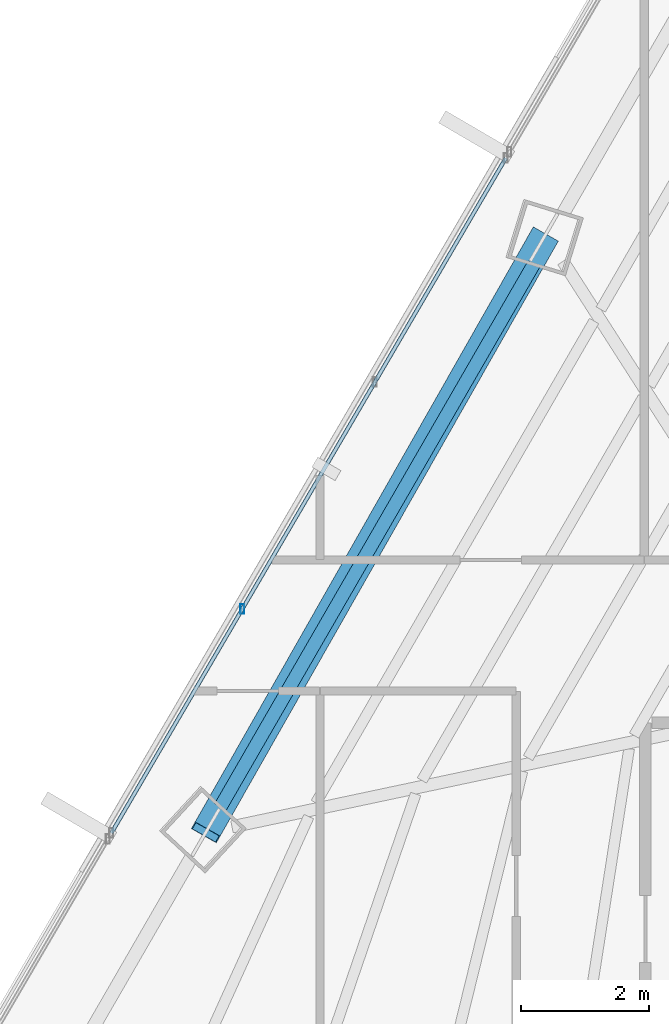
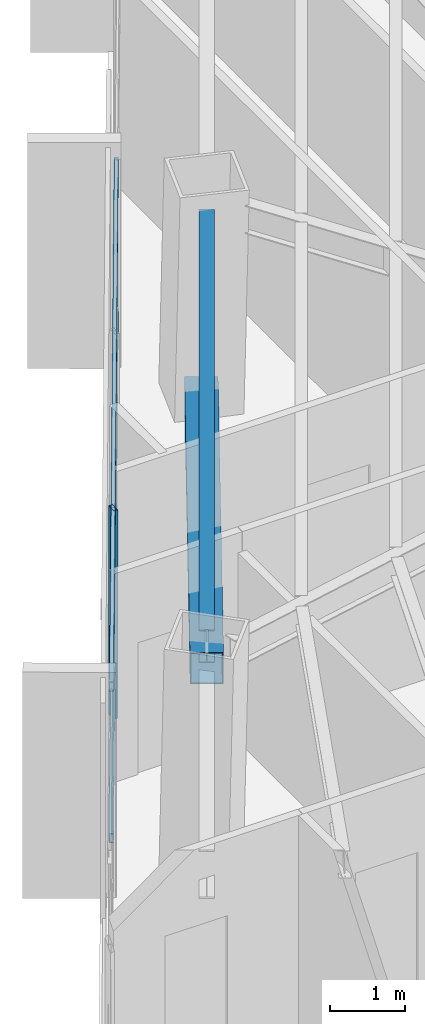
# One storey, part 14 of 42: 4 members, 1 beam, 1 element without a shape of its own.
"""IFC4 building model written with IfcOpenShell, lengths in metres."""

import ifcopenshell
import ifcopenshell.guid

model = None  # the IFC model being written
_history = None  # IfcOwnerHistory: only IFC2X3 demands one
_inside = {}  # id of a spatial element -> (the spatial element, [elements in it])
_under = {}  # id of a project, library or spatial element -> (it, [spatial elements below it])
_declared = {}  # id of a project -> (the project, [libraries it declares])
_typed = {}  # id of a type object -> (the type object, [elements of that type])
_made_of = {}  # id of a material, layer set ... -> (it, [elements and type objects made of it])


def new_model(schema):
    """Start an empty IFC model of exactly this schema.

    Asked for "IFC4X3", IfcOpenShell would pick the latest addendum, in which some entities
    have other attributes; the version numbers below select the first issue.
    IFC2X3 requires an IfcOwnerHistory on every rooted entity: one is made here for all.
    """
    global model, _history
    if schema == "IFC4X3":
        model = ifcopenshell.file(schema_version=(4, 3, 0, 0))
    else:
        model = ifcopenshell.file(schema=schema)
    _inside.clear()
    _under.clear()
    _declared.clear()
    _typed.clear()
    _made_of.clear()
    _history = None
    if model.schema == "IFC2X3":
        org = make("IfcOrganization", Name="unknown")
        user = make(
            "IfcPersonAndOrganization",
            ThePerson=make("IfcPerson", FamilyName="unknown"),
            TheOrganization=org,
        )
        app = make(
            "IfcApplication",
            ApplicationDeveloper=org,
            Version="unknown",
            ApplicationFullName="unknown",
            ApplicationIdentifier="unknown",
        )
        _history = make(
            "IfcOwnerHistory",
            OwningUser=user,
            OwningApplication=app,
            ChangeAction="ADDED",
            CreationDate=0,
        )
    return model


def make(cls, **values):
    """One entity of the class cls with the attributes given. An attribute that is None is left unset."""
    return model.create_entity(
        cls, **{name: value for name, value in values.items() if value is not None}
    )


def rooted(cls, **values):
    """An entity with a GlobalId (a new one), such as an element, a storey or a relation."""
    return make(cls, GlobalId=ifcopenshell.guid.new(), OwnerHistory=_history, **values)


def si_unit(unit_type, name, prefix=None):
    """IfcSIUnit, for example si_unit("LENGTHUNIT", "METRE", prefix="MILLI")."""
    return make("IfcSIUnit", UnitType=unit_type, Prefix=prefix, Name=name)


def assignment(units):
    """IfcUnitAssignment: the units of a project."""
    return None if units is None else make("IfcUnitAssignment", Units=units)


def point(xyz):
    """IfcCartesianPoint."""
    return None if xyz is None else make("IfcCartesianPoint", Coordinates=xyz)


def direction(xyz):
    """IfcDirection."""
    return None if xyz is None else make("IfcDirection", DirectionRatios=xyz)


def frame(location, z_axis=None, x_axis=None):
    """IfcAxis2Placement3D, a coordinate frame: its origin and axes. An axis left out is left unset."""
    return make(
        "IfcAxis2Placement3D",
        Location=point(location),
        Axis=direction(z_axis),
        RefDirection=direction(x_axis),
    )


def frame_2d(location, x_axis=None):
    """IfcAxis2Placement2D, a coordinate frame in the plane: its origin and x axis."""
    return make(
        "IfcAxis2Placement2D", Location=point(location), RefDirection=direction(x_axis)
    )


def origin():
    """The frame at (0, 0, 0) with its axes left unset."""
    return frame((0.0, 0.0, 0.0))


def origin_2d():
    """The frame at (0, 0) in the plane with its x axis left unset."""
    return frame_2d((0.0, 0.0))


def place(relative_to, where):
    """IfcLocalPlacement: puts the frame where relative to a parent placement (None: the world)."""
    return make(
        "IfcLocalPlacement", PlacementRelTo=relative_to, RelativePlacement=where
    )


def context(
    kind, dimensions, precision=None, world=None, true_north=None, identifier=None
):
    """IfcGeometricRepresentationContext, for example the 3D "Model" context."""
    return make(
        "IfcGeometricRepresentationContext",
        ContextIdentifier=identifier,
        ContextType=kind,
        CoordinateSpaceDimension=dimensions,
        Precision=precision,
        WorldCoordinateSystem=world,
        TrueNorth=true_north,
    )


def subcontext(parent, identifier, kind, view, scale=None):
    """IfcGeometricRepresentationSubContext, for example "Body" below "Model"."""
    return make(
        "IfcGeometricRepresentationSubContext",
        ContextIdentifier=identifier,
        ContextType=kind,
        ParentContext=parent,
        TargetScale=scale,
        TargetView=view,
    )


def project(units=None, contexts=None):
    """IfcProject with its units and contexts."""
    return rooted(
        "IfcProject",
        Name="project",
        RepresentationContexts=contexts,
        UnitsInContext=assignment(units),
    )


def spatial(cls, under=None, at=None, **own):
    """A site, building, storey or space (cls), placed at a placement, below another one or the project."""
    s = rooted(cls, ObjectPlacement=at, **own)
    if under is not None:
        _under.setdefault(under.id(), (under, []))[1].append(s)
    return s


def profile(cls, at=None, kind="AREA", **sizes):
    """A parametric profile (cls). Its sizes go by their IFC names, for example OverallWidth=200.0."""
    return make(cls, ProfileType=kind, Position=at, **sizes)


def hollow_rectangle(**sizes):
    """IfcRectangleHollowProfileDef."""
    return profile("IfcRectangleHollowProfileDef", **sizes)


def i_section(**sizes):
    """IfcIShapeProfileDef."""
    return profile("IfcIShapeProfileDef", **sizes)


def extrude(swept, where, along, depth):
    """IfcExtrudedAreaSolid: the profile swept, set in the frame where, extruded along a direction by depth."""
    return make(
        "IfcExtrudedAreaSolid",
        SweptArea=swept,
        Position=where,
        ExtrudedDirection=direction(along),
        Depth=depth,
    )


def shape(context_of_items, identifier, shape_type, items):
    """IfcShapeRepresentation: the items that make up one representation, for example the "Body"."""
    return make(
        "IfcShapeRepresentation",
        ContextOfItems=context_of_items,
        RepresentationIdentifier=identifier,
        RepresentationType=shape_type,
        Items=items,
    )


def source(mapping_origin, context_of_items, identifier, shape_type, items):
    """IfcRepresentationMap: a shape defined once, which mapped items show again and again."""
    return make(
        "IfcRepresentationMap",
        MappingOrigin=mapping_origin,
        MappedRepresentation=shape(context_of_items, identifier, shape_type, items),
    )


def transform(
    local_origin,
    x_axis=None,
    y_axis=None,
    z_axis=None,
    scale=None,
    scale2=None,
    scale3=None,
    uniform=True,
):
    """IfcCartesianTransformationOperator3D, or its non-uniform kind. x_axis, y_axis, z_axis: its Axis1, 2, 3."""
    if uniform:
        return make(
            "IfcCartesianTransformationOperator3D",
            Axis1=direction(x_axis),
            Axis2=direction(y_axis),
            LocalOrigin=point(local_origin),
            Scale=scale,
            Axis3=direction(z_axis),
        )
    return make(
        "IfcCartesianTransformationOperator3DnonUniform",
        Axis1=direction(x_axis),
        Axis2=direction(y_axis),
        LocalOrigin=point(local_origin),
        Scale=scale,
        Axis3=direction(z_axis),
        Scale2=scale2,
        Scale3=scale3,
    )


def mapped(mapping_source, mapping_target):
    """IfcMappedItem: shows the shape of a source again, moved by a transform."""
    return make(
        "IfcMappedItem", MappingSource=mapping_source, MappingTarget=mapping_target
    )


def material(Name=None, Category=None):
    """IfcMaterial."""
    return make("IfcMaterial", Name=Name, Category=Category)


def material_profile(
    of_material, cross_section, Name=None, Category=None, Priority=None
):
    """IfcMaterialProfile: a cross section and its material."""
    return make(
        "IfcMaterialProfile",
        Name=Name,
        Material=of_material,
        Profile=cross_section,
        Priority=Priority,
        Category=Category,
    )


def profile_set(profiles, Name=None, composite=None):
    """IfcMaterialProfileSet."""
    return make(
        "IfcMaterialProfileSet",
        Name=Name,
        MaterialProfiles=profiles,
        CompositeProfile=composite,
    )


def made_of(thing, what):
    """Note that an element or type object is made of a material, layer set ...; save() writes the relation."""
    if what is not None:
        _made_of.setdefault(what.id(), (what, []))[1].append(thing)
    return thing


def type_object(cls, material=None, **own):
    """A type object (cls), such as IfcWallType, which elements share."""
    return made_of(rooted(cls, **own), material)


def type_shapes(of_type, sources):
    """Give a type object the sources (RepresentationMaps) that its elements show as mapped items."""
    of_type.RepresentationMaps = sources


def element(
    cls,
    number,
    at=None,
    inside=None,
    cuts=None,
    type_object=None,
    material=None,
    context=None,
    identifier="Body",
    shape_type=None,
    held_by="IfcProductDefinitionShape",
    body=None,
    shapes=None,
    **own,
):
    """One element of the class cls, such as IfcWall. Its Tag is "e" and its number.

    at: its placement. inside: the storey or other place that contains it. cuts: it is an
    opening in that element (IfcRelVoidsElement). A single representation is given by context,
    identifier, shape_type and body (its items); several are given by shapes. held_by: the class
    of the entity that holds the representations. save() writes the other relations.
    """
    e = rooted(cls, Tag="e%d" % number, ObjectPlacement=at, **own)
    if body is not None:
        shapes = [shape(context, identifier, shape_type, body)]
    if shapes is not None:
        e.Representation = make(held_by, Representations=shapes)
    if inside is not None:
        _inside.setdefault(inside.id(), (inside, []))[1].append(e)
    if cuts is not None:
        rooted(
            "IfcRelVoidsElement", RelatingBuildingElement=cuts, RelatedOpeningElement=e
        )
    if type_object is not None:
        _typed.setdefault(type_object.id(), (type_object, []))[1].append(e)
    return made_of(e, material)


def aggregate(whole, parts):
    """IfcRelAggregates: a whole, such as a stair, and the parts it consists of."""
    return rooted("IfcRelAggregates", RelatingObject=whole, RelatedObjects=parts)


def save(model, path):
    """Write the relations noted so far, then the file.

    IfcRelAggregates (storeys below a building ...), IfcRelContainedInSpatialStructure (elements
    in a storey), IfcRelDefinesByType, IfcRelAssociatesMaterial and IfcRelDeclares: one each for
    every whole, place, type object, material and project.
    """
    for whole, parts in _under.values():
        aggregate(whole, parts)
    for where, things in _inside.values():
        rooted(
            "IfcRelContainedInSpatialStructure",
            RelatedElements=things,
            RelatingStructure=where,
        )
    for kind, things in _typed.values():
        rooted("IfcRelDefinesByType", RelatedObjects=things, RelatingType=kind)
    for what, things in _made_of.values():
        rooted("IfcRelAssociatesMaterial", RelatedObjects=things, RelatingMaterial=what)
    for by, libraries in _declared.values():
        rooted("IfcRelDeclares", RelatingContext=by, RelatedDefinitions=libraries)
    model.write(path)


model = new_model("IFC4")

# Units and contexts
model_context = context("Model", 3, precision=1e-05, world=origin(), true_north=direction((0.0, 1.0)))
body_context = subcontext(model_context, "Body", "Model", "MODEL_VIEW")
ifc_project = project(units=[si_unit("LENGTHUNIT", "METRE"), si_unit("AREAUNIT", "SQUARE_METRE"), si_unit("VOLUMEUNIT", "CUBIC_METRE"), si_unit("PLANEANGLEUNIT", "RADIAN"), si_unit("MASSUNIT", "GRAM", prefix="KILO")], contexts=[model_context])

# Site, building, storey
site_placement = place(None, origin())
site = spatial("IfcSite", under=ifc_project, at=site_placement, CompositionType="ELEMENT")
building_placement = place(site_placement, origin())
building = spatial("IfcBuilding", under=site, at=building_placement, Name="Caelisora Broadcast Tower", CompositionType="ELEMENT")
storey_placement = place(building_placement, frame((0.0, 0.0, 131.800048828125)))
storey = spatial("IfcBuildingStorey", under=building, at=storey_placement, Name="L34", CompositionType="ELEMENT", Elevation=131.800048828125)

# Beam
ifc_material_1 = material(Name="Steel Grade 350 (AS/NZS 3679.1)", Category="steel")
ifc_material_profile_1 = material_profile(ifc_material_1, i_section(OverallWidth=0.208984375, OverallDepth=0.532958984375, WebThickness=0.01025390625, FlangeThickness=0.015625, at=origin_2d()), Name="Steel Grade 350 (AS/NZS 3679.1)")
ifc_profile_set_1 = profile_set([ifc_material_profile_1], Name="Steel Grade 350 (AS/NZS 3679.1)")
beam_type = type_object("IfcBeamType", Name="PG05", PredefinedType="BEAM", material=ifc_profile_set_1)
shared_shape_1 = source(origin(), body_context, "Body", "SweptSolid", [
    extrude(i_section(OverallWidth=0.208984375, OverallDepth=0.532958984375, WebThickness=0.01025390625, FlangeThickness=0.015625, at=origin_2d()), origin(), (0.0, 0.0, 1.0), 9.80322265625),
])
type_shapes(beam_type, [shared_shape_1])
beam_placement = place(storey_placement, frame((25.673095703125, 36.77685546875, 3.133544921875), z_axis=(-0.500004141693, -0.866023012564, 0.0), x_axis=(0.866023012564, -0.500004141693, 0.0)))
element("IfcBeam", 1, at=beam_placement, inside=storey, type_object=beam_type, Name="L34 beam PG05", PredefinedType="BEAM", context=body_context, shape_type="MappedRepresentation", body=[
    mapped(shared_shape_1, transform((0.0, 0.0, 0.0), scale=1.0)),
])

# Member
ifc_material_2 = material(Name="Steel Grade 450 (AS/NZS 1163 C450L0)", Category="steel")
ifc_material_profile_2 = material_profile(ifc_material_2, hollow_rectangle(XDim=0.449951171875, YDim=0.449951171875, WallThickness=0.01611328125, at=origin_2d()), Name="Steel Grade 450 (AS/NZS 1163 C450L0)")
ifc_profile_set_2 = profile_set([ifc_material_profile_2], Name="Steel Grade 450 (AS/NZS 1163 C450L0)")
member_type_1 = type_object("IfcMemberType", Name="BR03", PredefinedType="BRACE", material=ifc_profile_set_2)
shared_shape_2 = source(origin(), body_context, "Body", "SweptSolid", [
    extrude(hollow_rectangle(XDim=0.449951171875, YDim=0.449951171875, WallThickness=0.01611328125, at=origin_2d()), origin(), (0.0, 0.0, 1.0), 11.119384765625),
])
type_shapes(member_type_1, [shared_shape_2])
member_1_placement = place(storey_placement, frame((25.832275390625, 37.197265625, 0.099853515625), z_axis=(-0.475812312961, -0.837145118756, 0.269797503653), x_axis=(0.869384430195, -0.494136329908, 0.0)))
element("IfcMember", 2, at=member_1_placement, inside=storey, type_object=member_type_1, Name="L34 perimeter brace BR03", PredefinedType="BRACE", context=body_context, shape_type="MappedRepresentation", body=[
    mapped(shared_shape_2, transform((0.0, 0.0, 0.0), scale=1.0)),
])

# Curtain wall, members
ifc_material_3 = material(Name="Unitised Aluminium Insulated Shadow-Box Spandrel Curtain Wall", Category="aluminium")
curtain_wall_type = type_object("IfcCurtainWallType", Name="CW-SP2", PredefinedType="NOTDEFINED", material=ifc_material_3)
curtain_wall_placement = place(storey_placement, origin())
curtain_wall = element("IfcCurtainWall", 3, at=curtain_wall_placement, inside=storey, type_object=curtain_wall_type, Name="L34 curtain wall CW-SP2", PredefinedType="NOTDEFINED")
ifc_material_4 = material(Name="Aluminium 6063-T6 Anodised Terracotta Bronze", Category="aluminium")
ifc_material_profile_3 = material_profile(ifc_material_4, hollow_rectangle(XDim=0.06005859375, YDim=0.14990234375, WallThickness=0.00341796875, at=origin_2d()), Name="Aluminium 6063-T6 Anodised Terracotta Bronze")
ifc_profile_set_3 = profile_set([ifc_material_profile_3], Name="Aluminium 6063-T6 Anodised Terracotta Bronze")
member_type_2 = type_object("IfcMemberType", Name="CWM-03", PredefinedType="MULLION", material=ifc_profile_set_3)
shared_shape_3 = source(origin(), body_context, "Body", "SweptSolid", [
    extrude(hollow_rectangle(XDim=0.06005859375, YDim=0.14990234375, WallThickness=0.00341796875, at=origin_2d()), origin(), (0.0, 0.0, 1.0), 3.39990234375),
])
type_shapes(member_type_2, [shared_shape_3])
member_2_placement = place(storey_placement, frame((21.11376953125, 31.383544921875, 0.0), z_axis=(0.0, 0.0, 1.0), x_axis=(1.0, 0.0, 0.0)))
member_2 = element("IfcMember", 4, at=member_2_placement, type_object=member_type_2, Name="L34-CW-B10 mullion #1", PredefinedType="MULLION", context=body_context, shape_type="MappedRepresentation", body=[
    mapped(shared_shape_3, transform((0.0, 0.0, 0.0), scale=1.0)),
])
ifc_material_profile_4 = material_profile(ifc_material_4, hollow_rectangle(XDim=0.06005859375, YDim=0.14990234375, WallThickness=0.00341796875, at=origin_2d()), Name="Aluminium 6063-T6 Anodised Terracotta Bronze")
ifc_profile_set_4 = profile_set([ifc_material_profile_4], Name="Aluminium 6063-T6 Anodised Terracotta Bronze")
member_type_3 = type_object("IfcMemberType", Name="CWT-02", PredefinedType="USERDEFINED", material=ifc_profile_set_4)
shared_shape_4 = source(origin(), body_context, "Body", "SweptSolid", [
    extrude(hollow_rectangle(XDim=0.06005859375, YDim=0.14990234375, WallThickness=0.00341796875, at=origin_2d()), origin(), (0.0, 0.0, 1.0), 12.23046875),
])
type_shapes(member_type_3, [shared_shape_4])
member_3_placement = place(storey_placement, frame((19.065185546875, 27.8779296875, 0.849853515625), z_axis=(0.504551013887, 0.863381882127, 0.0), x_axis=(-0.863381882127, 0.504551013887, 0.0)))
member_3 = element("IfcMember", 5, at=member_3_placement, type_object=member_type_3, Name="L34-CW-B10 transom #1", ObjectType="TRANSOM", PredefinedType="USERDEFINED", context=body_context, shape_type="MappedRepresentation", body=[
    mapped(shared_shape_4, transform((0.0, 0.0, 0.0), scale=1.0)),
])
member_4_placement = place(storey_placement, frame((19.065185546875, 27.8779296875, 3.320068359375), z_axis=(0.504551013887, 0.863381882127, 0.0), x_axis=(-0.863381882127, 0.504551013887, 0.0)))
member_4 = element("IfcMember", 6, at=member_4_placement, type_object=member_type_3, Name="L34-CW-B10 transom #2", ObjectType="TRANSOM", PredefinedType="USERDEFINED", context=body_context, shape_type="MappedRepresentation", body=[
    mapped(shared_shape_4, transform((0.0, 0.0, 0.0), scale=1.0)),
])
aggregate(curtain_wall, [member_2, member_3, member_4])

save(model, "model.ifc")
